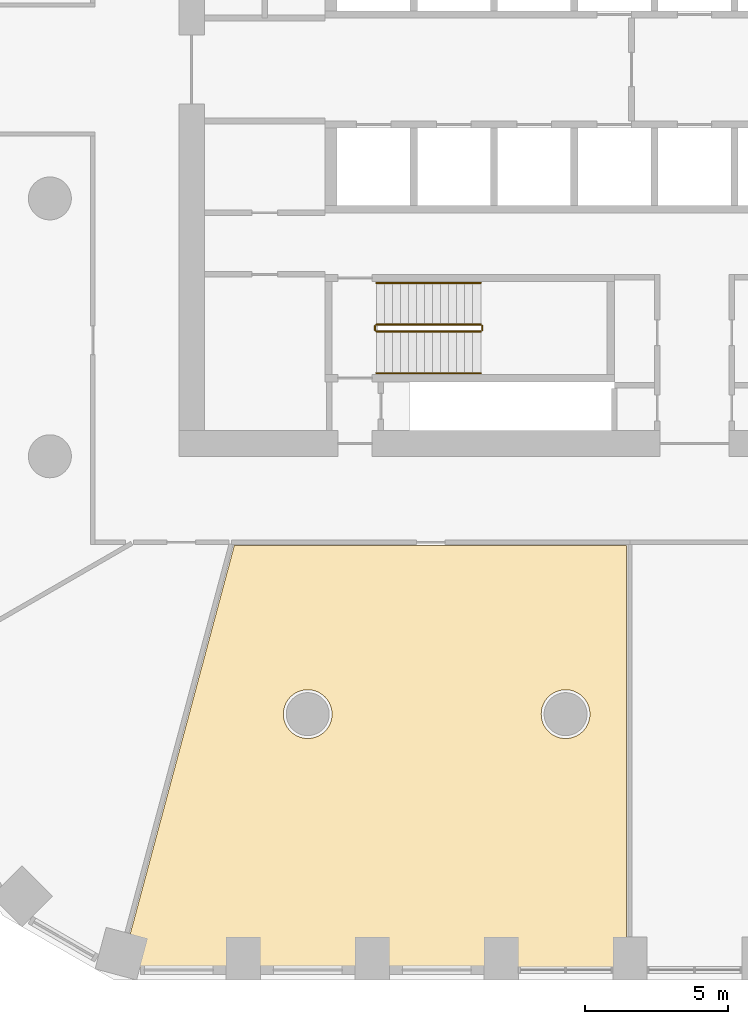
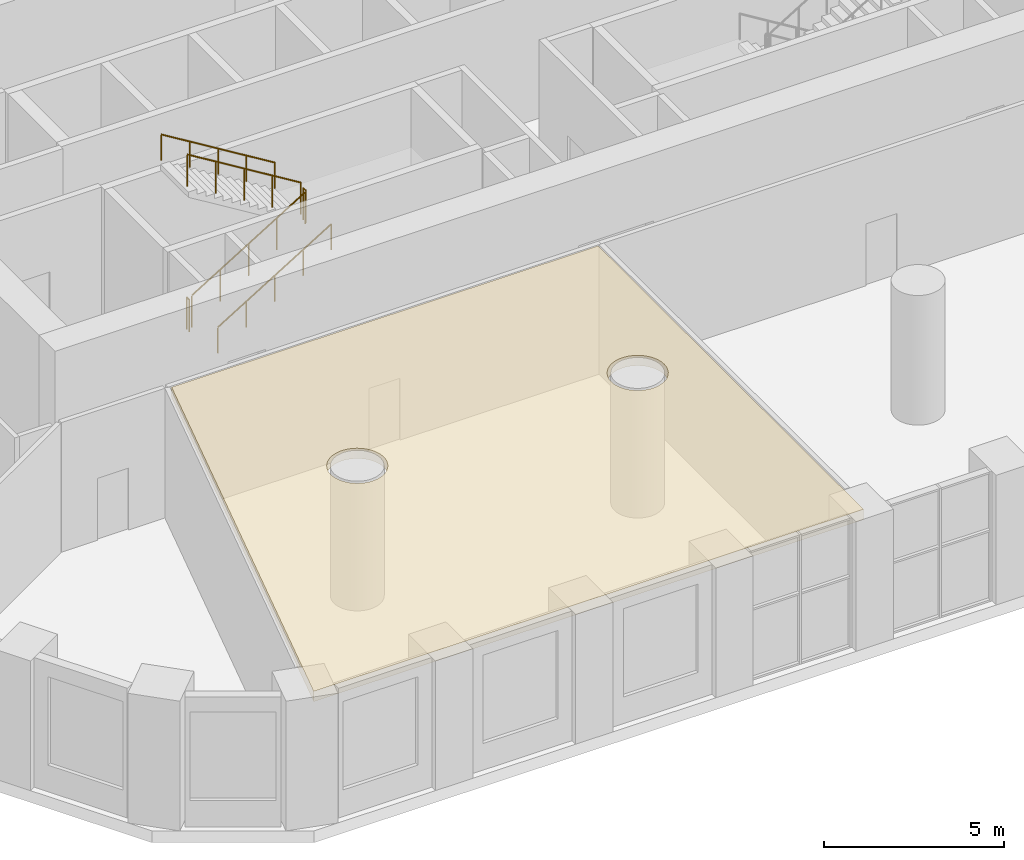
# One storey, part 18 of 26: 6 railings, 1 covering.
"""IFC4 building model written with IfcOpenShell, lengths in metres."""

from ifc_helpers import new_model, si_unit, direction, frame, origin, origin_2d, place, context, subcontext, project, spatial, polyline, circle, outline, extrude, material, layer, layer_set, type_object, element, save


model = new_model("IFC4")

# Units and contexts
model_context = context("Model", 3, precision=1e-05, world=origin(), true_north=direction((0.0, 1.0)))
body_context = subcontext(model_context, "Body", "Model", "MODEL_VIEW")
ifc_project = project(units=[si_unit("LENGTHUNIT", "METRE"), si_unit("AREAUNIT", "SQUARE_METRE"), si_unit("VOLUMEUNIT", "CUBIC_METRE"), si_unit("PLANEANGLEUNIT", "RADIAN"), si_unit("MASSUNIT", "GRAM", prefix="KILO")], contexts=[model_context])

# Site, building, storey
site_placement = place(None, origin())
site = spatial("IfcSite", under=ifc_project, at=site_placement, CompositionType="ELEMENT")
building_placement = place(site_placement, origin())
building = spatial("IfcBuilding", under=site, at=building_placement, Name="Dhurran Vertical Campus", CompositionType="ELEMENT")
storey_placement = place(building_placement, frame((0.0, 0.0, 15.60009765625)))
storey = spatial("IfcBuildingStorey", under=building, at=storey_placement, Name="L03", CompositionType="ELEMENT", Elevation=15.60009765625)

# Railings
ifc_material_1 = material(Name="Stainless steel balustrade", Category="steel")
railing_type_1 = type_object("IfcRailingType", Name="co-RL-GUARD-1100", PredefinedType="GUARDRAIL", material=ifc_material_1)
railing_1_placement = place(storey_placement, frame((-11.10009765625, -9.14990234375, 0.17138671875)))
element("IfcRailing", 1, at=railing_1_placement, inside=storey, type_object=railing_type_1, Name="L03 ST3 stair guard 1", PredefinedType="GUARDRAIL", context=body_context, shape_type="SweptSolid", body=[
    extrude(circle(Radius=0.02392578125, at=origin_2d()), frame((0.0, 0.0, 1.076171875), z_axis=(0.852865859571, 0.0, 0.52213008492), x_axis=(0.0, 1.0, 0.0)), (0.0, 0.0, 1.0), 4.26806640625),
    extrude(circle(Radius=0.02099609375, at=origin_2d()), origin(), (0.0, 0.0, 1.0), 1.052001953125),
    extrude(circle(Radius=0.02099609375, at=origin_2d()), frame((0.91015625, 0.0, 0.55712890625)), (0.0, 0.0, 1.0), 1.052001953125),
    extrude(circle(Radius=0.02099609375, at=origin_2d()), frame((1.820068359375, 0.0, 1.1142578125)), (0.0, 0.0, 1.0), 1.052001953125),
    extrude(circle(Radius=0.02099609375, at=origin_2d()), frame((2.72998046875, 0.0, 1.67138671875)), (0.0, 0.0, 1.0), 1.052001953125),
    extrude(circle(Radius=0.02099609375, at=origin_2d()), frame((3.64013671875, 0.0, 2.228515625)), (0.0, 0.0, 1.0), 1.052001953125),
])
railing_2_placement = place(storey_placement, frame((-7.409912109375, -9.10009765625, 2.39990234375)))
element("IfcRailing", 2, at=railing_2_placement, inside=storey, type_object=railing_type_1, Name="L03 ST3 stair guard 2", PredefinedType="GUARDRAIL", context=body_context, shape_type="SweptSolid", body=[
    extrude(circle(Radius=0.02392578125, at=origin_2d()), frame((0.0, 0.0, 1.076171875), z_axis=(0.0, 1.0, 0.0), x_axis=(-1.0, 0.0, 0.0)), (0.0, 0.0, 1.0), 0.150146484375),
    extrude(circle(Radius=0.02099609375, at=origin_2d()), origin(), (0.0, 0.0, 1.0), 1.052001953125),
    extrude(circle(Radius=0.02099609375, at=origin_2d()), frame((0.0, 0.150146484375, 0.0)), (0.0, 0.0, 1.0), 1.052001953125),
])
railing_3_placement = place(storey_placement, frame((-7.4599609375, -8.89990234375, 2.5712890625)))
element("IfcRailing", 3, at=railing_3_placement, inside=storey, type_object=railing_type_1, Name="L03 ST3 stair guard 3", PredefinedType="GUARDRAIL", context=body_context, shape_type="SweptSolid", body=[
    extrude(circle(Radius=0.02392578125, at=origin_2d()), frame((0.0, 0.0, 1.076171875), z_axis=(-0.852865859571, 0.0, 0.52213008492), x_axis=(0.0, -1.0, 0.0)), (0.0, 0.0, 1.0), 4.26806640625),
    extrude(circle(Radius=0.02099609375, at=origin_2d()), origin(), (0.0, 0.0, 1.0), 1.052001953125),
    extrude(circle(Radius=0.02099609375, at=origin_2d()), frame((-0.91015625, 0.0, 0.55712890625)), (0.0, 0.0, 1.0), 1.052001953125),
    extrude(circle(Radius=0.02099609375, at=origin_2d()), frame((-1.820068359375, 0.0, 1.1142578125)), (0.0, 0.0, 1.0), 1.052001953125),
    extrude(circle(Radius=0.02099609375, at=origin_2d()), frame((-2.72998046875, 0.0, 1.67138671875)), (0.0, 0.0, 1.0), 1.052001953125),
    extrude(circle(Radius=0.02099609375, at=origin_2d()), frame((-3.64013671875, 0.0, 2.228515625)), (0.0, 0.0, 1.0), 1.052001953125),
])
railing_4_placement = place(storey_placement, frame((-11.14990234375, -9.10009765625, 0.0)))
element("IfcRailing", 4, at=railing_4_placement, inside=storey, type_object=railing_type_1, Name="L03 ST3 stair guard 4", PredefinedType="GUARDRAIL", context=body_context, shape_type="SweptSolid", body=[
    extrude(circle(Radius=0.02392578125, at=origin_2d()), frame((0.0, 0.0, 1.076171875), z_axis=(0.0, 1.0, 0.0), x_axis=(-1.0, 0.0, 0.0)), (0.0, 0.0, 1.0), 0.150146484375),
    extrude(circle(Radius=0.02099609375, at=origin_2d()), origin(), (0.0, 0.0, 1.0), 1.052001953125),
    extrude(circle(Radius=0.02099609375, at=origin_2d()), frame((0.0, 0.150146484375, 0.0)), (0.0, 0.0, 1.0), 1.052001953125),
])
ifc_material_2 = material(Name="Stainless steel handrail", Category="steel")
railing_type_2 = type_object("IfcRailingType", Name="co-RL-HANDRAIL-900", PredefinedType="HANDRAIL", material=ifc_material_2)
railing_5_placement = place(storey_placement, frame((-11.10009765625, -10.60009765625, 0.17138671875)))
element("IfcRailing", 5, at=railing_5_placement, inside=storey, type_object=railing_type_2, Name="L03 ST3 stair handrail 1", PredefinedType="HANDRAIL", context=body_context, shape_type="SweptSolid", body=[
    extrude(circle(Radius=0.02392578125, at=origin_2d()), frame((0.0, 0.0, 0.8759765625), z_axis=(0.852865859571, 0.0, 0.52213008492), x_axis=(0.0, 1.0, 0.0)), (0.0, 0.0, 1.0), 4.26806640625),
    extrude(circle(Radius=0.02099609375, at=origin_2d()), origin(), (0.0, 0.0, 1.0), 0.851806640625),
    extrude(circle(Radius=0.02099609375, at=origin_2d()), frame((0.91015625, 0.0, 0.55712890625)), (0.0, 0.0, 1.0), 0.851806640625),
    extrude(circle(Radius=0.02099609375, at=origin_2d()), frame((1.820068359375, 0.0, 1.1142578125)), (0.0, 0.0, 1.0), 0.851806640625),
    extrude(circle(Radius=0.02099609375, at=origin_2d()), frame((2.72998046875, 0.0, 1.67138671875)), (0.0, 0.0, 1.0), 0.851806640625),
    extrude(circle(Radius=0.02099609375, at=origin_2d()), frame((3.64013671875, 0.0, 2.228515625)), (0.0, 0.0, 1.0), 0.851806640625),
])
railing_6_placement = place(storey_placement, frame((-7.4599609375, -7.449951171875, 2.5712890625)))
element("IfcRailing", 6, at=railing_6_placement, inside=storey, type_object=railing_type_2, Name="L03 ST3 stair handrail 2", PredefinedType="HANDRAIL", context=body_context, shape_type="SweptSolid", body=[
    extrude(circle(Radius=0.02392578125, at=origin_2d()), frame((0.0, 0.0, 0.8759765625), z_axis=(-0.852865859571, 0.0, 0.52213008492), x_axis=(0.0, -1.0, 0.0)), (0.0, 0.0, 1.0), 4.26806640625),
    extrude(circle(Radius=0.02099609375, at=origin_2d()), origin(), (0.0, 0.0, 1.0), 0.851806640625),
    extrude(circle(Radius=0.02099609375, at=origin_2d()), frame((-0.91015625, 0.0, 0.55712890625)), (0.0, 0.0, 1.0), 0.851806640625),
    extrude(circle(Radius=0.02099609375, at=origin_2d()), frame((-1.820068359375, 0.0, 1.1142578125)), (0.0, 0.0, 1.0), 0.851806640625),
    extrude(circle(Radius=0.02099609375, at=origin_2d()), frame((-2.72998046875, 0.0, 1.67138671875)), (0.0, 0.0, 1.0), 0.851806640625),
    extrude(circle(Radius=0.02099609375, at=origin_2d()), frame((-3.64013671875, 0.0, 2.228515625)), (0.0, 0.0, 1.0), 0.851806640625),
])

# Covering
ifc_material_3 = material(Name="Mineral fibre ceiling tiles on suspended grid")
ifc_layer = layer(ifc_material_3, 0.35009765625)
ifc_layer_set = layer_set([ifc_layer], Name="Mineral fibre ceiling tiles on suspended grid")
covering_type = type_object("IfcCoveringType", Name="fl-CE-350 suspended ceiling", PredefinedType="CEILING", material=ifc_layer_set)
covering_placement = place(storey_placement, frame((0.0, 0.0, 4.0498046875)))
element("IfcCovering", 7, at=covering_placement, inside=storey, type_object=covering_type, Name="Ceiling 03-11", PredefinedType="CEILING", context=body_context, shape_type="SweptSolid", body=[
    extrude(outline(polyline([(-2.3701171875, -31.360107421875), (-20.013916015625, -31.360107421875), (-16.06396484375, -16.6201171875), (-2.3701171875, -16.6201171875), (-2.3701171875, -31.360107421875)]), holes=[polyline([(-13.175048828125, -21.715087890625), (-13.2529296875, -21.68701171875), (-13.333984375, -21.666015625), (-13.4169921875, -21.654052734375), (-13.5, -21.64990234375), (-13.5830078125, -21.654052734375), (-13.666015625, -21.666015625), (-13.7470703125, -21.68701171875), (-13.824951171875, -21.715087890625), (-13.90087890625, -21.75), (-13.971923828125, -21.79296875), (-14.0390625, -21.843017578125), (-14.10107421875, -21.89892578125), (-14.156982421875, -21.9609375), (-14.20703125, -22.028076171875), (-14.25, -22.09912109375), (-14.284912109375, -22.175048828125), (-14.31298828125, -22.2529296875), (-14.333984375, -22.333984375), (-14.345947265625, -22.4169921875), (-14.35009765625, -22.5), (-14.345947265625, -22.5830078125), (-14.333984375, -22.666015625), (-14.31298828125, -22.7470703125), (-14.284912109375, -22.824951171875), (-14.25, -22.90087890625), (-14.20703125, -22.971923828125), (-14.156982421875, -23.0390625), (-14.10107421875, -23.10107421875), (-14.0390625, -23.156982421875), (-13.971923828125, -23.20703125), (-13.90087890625, -23.25), (-13.824951171875, -23.284912109375), (-13.7470703125, -23.31298828125), (-13.666015625, -23.333984375), (-13.5830078125, -23.345947265625), (-13.5, -23.35009765625), (-13.4169921875, -23.345947265625), (-13.333984375, -23.333984375), (-13.2529296875, -23.31298828125), (-13.175048828125, -23.284912109375), (-13.09912109375, -23.25), (-13.028076171875, -23.20703125), (-12.9609375, -23.156982421875), (-12.89892578125, -23.10107421875), (-12.843017578125, -23.0390625), (-12.79296875, -22.971923828125), (-12.75, -22.90087890625), (-12.715087890625, -22.824951171875), (-12.68701171875, -22.7470703125), (-12.666015625, -22.666015625), (-12.654052734375, -22.5830078125), (-12.64990234375, -22.5), (-12.654052734375, -22.4169921875), (-12.666015625, -22.333984375), (-12.68701171875, -22.2529296875), (-12.715087890625, -22.175048828125), (-12.75, -22.09912109375), (-12.79296875, -22.028076171875), (-12.843017578125, -21.9609375), (-12.89892578125, -21.89892578125), (-12.9609375, -21.843017578125), (-13.028076171875, -21.79296875), (-13.09912109375, -21.75), (-13.175048828125, -21.715087890625)]), polyline([(-4.028076171875, -21.79296875), (-4.09912109375, -21.75), (-4.175048828125, -21.715087890625), (-4.2529296875, -21.68701171875), (-4.333984375, -21.666015625), (-4.4169921875, -21.654052734375), (-4.5, -21.64990234375), (-4.5830078125, -21.654052734375), (-4.666015625, -21.666015625), (-4.7470703125, -21.68701171875), (-4.824951171875, -21.715087890625), (-4.90087890625, -21.75), (-4.971923828125, -21.79296875), (-5.0390625, -21.843017578125), (-5.10107421875, -21.89892578125), (-5.156982421875, -21.9609375), (-5.20703125, -22.028076171875), (-5.25, -22.09912109375), (-5.284912109375, -22.175048828125), (-5.31298828125, -22.2529296875), (-5.333984375, -22.333984375), (-5.345947265625, -22.4169921875), (-5.35009765625, -22.5), (-5.345947265625, -22.5830078125), (-5.333984375, -22.666015625), (-5.31298828125, -22.7470703125), (-5.284912109375, -22.824951171875), (-5.25, -22.90087890625), (-5.20703125, -22.971923828125), (-5.156982421875, -23.0390625), (-5.10107421875, -23.10107421875), (-5.0390625, -23.156982421875), (-4.971923828125, -23.20703125), (-4.90087890625, -23.25), (-4.824951171875, -23.284912109375), (-4.7470703125, -23.31298828125), (-4.666015625, -23.333984375), (-4.5830078125, -23.345947265625), (-4.5, -23.35009765625), (-4.4169921875, -23.345947265625), (-4.333984375, -23.333984375), (-4.2529296875, -23.31298828125), (-4.175048828125, -23.284912109375), (-4.09912109375, -23.25), (-4.028076171875, -23.20703125), (-3.9609375, -23.156982421875), (-3.89892578125, -23.10107421875), (-3.843017578125, -23.0390625), (-3.79296875, -22.971923828125), (-3.75, -22.90087890625), (-3.715087890625, -22.824951171875), (-3.68701171875, -22.7470703125), (-3.666015625, -22.666015625), (-3.654052734375, -22.5830078125), (-3.64990234375, -22.5), (-3.654052734375, -22.4169921875), (-3.666015625, -22.333984375), (-3.68701171875, -22.2529296875), (-3.715087890625, -22.175048828125), (-3.75, -22.09912109375), (-3.79296875, -22.028076171875), (-3.843017578125, -21.9609375), (-3.89892578125, -21.89892578125), (-3.9609375, -21.843017578125), (-4.028076171875, -21.79296875)])]), origin(), (0.0, 0.0, 1.0), 0.35009765625),
])

save(model, "model.ifc")
